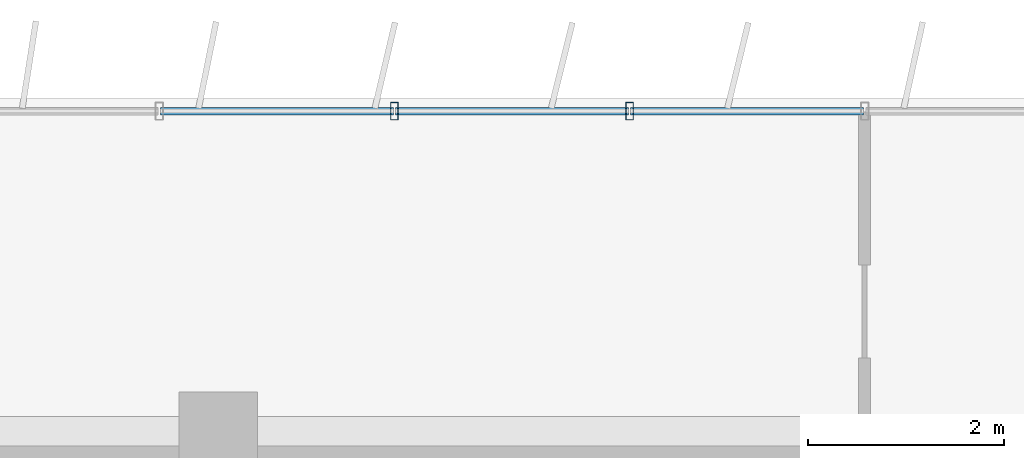
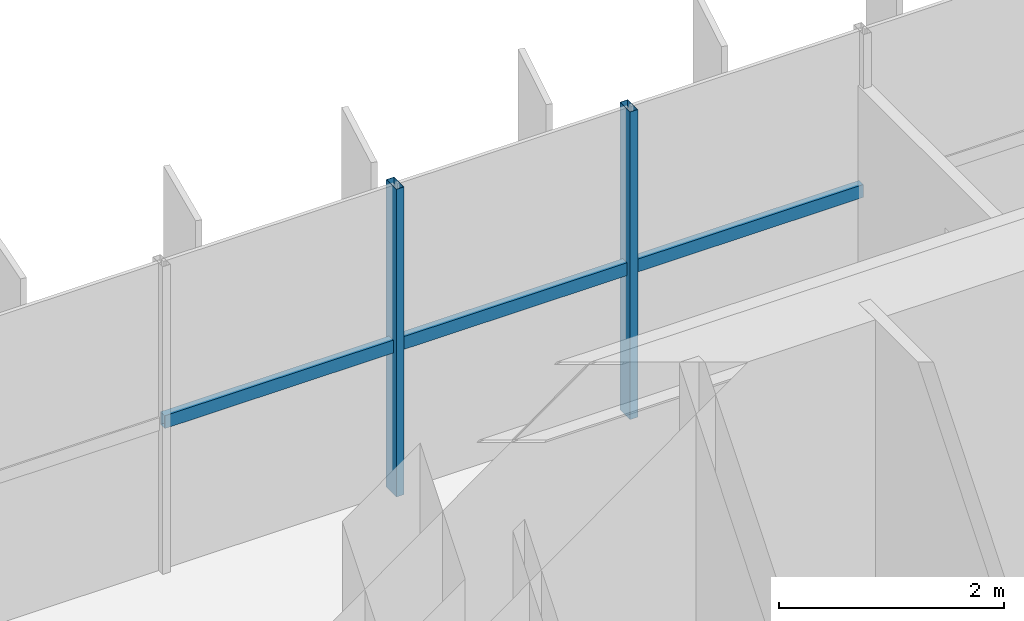
# One storey, part 7 of 21: 5 members, 1 element without a shape of its own.
"""IFC4 building model written with IfcOpenShell, lengths in metres."""

from ifc_helpers import new_model, si_unit, direction, frame, origin, origin_2d, place, context, subcontext, project, spatial, hollow_rectangle, extrude, source, transform, mapped, material, material_profile, profile_set, type_object, element, aggregate, save


model = new_model("IFC4")

# Units and contexts
model_context = context("Model", 3, precision=1e-05, world=origin(), true_north=direction((0.0, 1.0)))
body_context = subcontext(model_context, "Body", "Model", "MODEL_VIEW")
ifc_project = project(units=[si_unit("LENGTHUNIT", "METRE"), si_unit("AREAUNIT", "SQUARE_METRE"), si_unit("VOLUMEUNIT", "CUBIC_METRE"), si_unit("PLANEANGLEUNIT", "RADIAN"), si_unit("MASSUNIT", "GRAM", prefix="KILO")], contexts=[model_context])

# Site, building, storey
site_placement = place(None, origin())
site = spatial("IfcSite", under=ifc_project, at=site_placement, CompositionType="ELEMENT")
building_placement = place(site_placement, origin())
building = spatial("IfcBuilding", under=site, at=building_placement, Name="Trelvane Seafront Commons", CompositionType="ELEMENT")
storey_placement = place(building_placement, frame((0.0, 0.0, 110.5)))
storey = spatial("IfcBuildingStorey", under=building, at=storey_placement, Name="L28", CompositionType="ELEMENT", Elevation=110.5)

# Curtain wall, members
ifc_material = material(Name="Anodised pale-silver aluminium", Category="aluminium")
curtain_wall_type = type_object("IfcCurtainWallType", Name="ARCH-CW4-SKYLOBBY", PredefinedType="NOTDEFINED", material=ifc_material)
curtain_wall_placement = place(storey_placement, origin())
curtain_wall = element("IfcCurtainWall", 1, at=curtain_wall_placement, inside=storey, type_object=curtain_wall_type, Name="CW-L28-0053", PredefinedType="NOTDEFINED")
ifc_material_profile_1 = material_profile(ifc_material, hollow_rectangle(XDim=0.074951171875, YDim=0.139892578125, WallThickness=0.00390625, at=origin_2d()), Name="TRAN-75x140x4")
ifc_profile_set_1 = profile_set([ifc_material_profile_1], Name="Anodised pale-silver aluminium")
member_type_1 = type_object("IfcMemberType", Name="ARCH-CW-TRAN-140", PredefinedType="USERDEFINED", material=ifc_profile_set_1)
shared_shape_1 = source(origin(), body_context, "Body", "SweptSolid", [
    extrude(hollow_rectangle(XDim=0.074951171875, YDim=0.139892578125, WallThickness=0.00390625, at=origin_2d()), origin(), (0.0, 0.0, 1.0), 2.3759765625),
])
member_1_placement = place(storey_placement, frame((30.011962890625, 48.3701171875, 1.60302734375), z_axis=(1.0, 0.0, 0.0), x_axis=(0.0, 1.0, 0.0)))
member_1 = element("IfcMember", 2, at=member_1_placement, type_object=member_type_1, Name="CW-L28-0053-T06", ObjectType="TRANSOM", PredefinedType="USERDEFINED", context=body_context, shape_type="MappedRepresentation", body=[
    mapped(shared_shape_1, transform((0.0, 0.0, 0.0), x_axis=(1.0, 0.0, 0.0), y_axis=(0.0, 1.0, 0.0), z_axis=(0.0, 0.0, 1.0), scale=1.0)),
])
member_2_placement = place(storey_placement, frame((32.412109375, 48.3701171875, 1.60302734375), z_axis=(1.0, 0.0, 0.0), x_axis=(0.0, 1.0, 0.0)))
member_2 = element("IfcMember", 3, at=member_2_placement, type_object=member_type_1, Name="CW-L28-0053-T07", ObjectType="TRANSOM", PredefinedType="USERDEFINED", context=body_context, shape_type="MappedRepresentation", body=[
    mapped(shared_shape_1, transform((0.0, 0.0, 0.0), x_axis=(1.0, 0.0, 0.0), y_axis=(0.0, 1.0, 0.0), z_axis=(0.0, 0.0, 1.0), scale=1.0)),
])
member_3_placement = place(storey_placement, frame((34.81201171875, 48.3701171875, 1.60302734375), z_axis=(1.0, 0.0, 0.0), x_axis=(0.0, 1.0, 0.0)))
member_3 = element("IfcMember", 4, at=member_3_placement, type_object=member_type_1, Name="CW-L28-0053-T08", ObjectType="TRANSOM", PredefinedType="USERDEFINED", context=body_context, shape_type="MappedRepresentation", body=[
    mapped(shared_shape_1, transform((0.0, 0.0, 0.0), x_axis=(1.0, 0.0, 0.0), y_axis=(0.0, 1.0, 0.0), z_axis=(0.0, 0.0, 1.0), scale=1.0)),
])
ifc_material_profile_2 = material_profile(ifc_material, hollow_rectangle(XDim=0.080078125, YDim=0.179931640625, WallThickness=0.00439453125, at=origin_2d()), Name="MULL-80x180x4.5")
ifc_profile_set_2 = profile_set([ifc_material_profile_2], Name="Anodised pale-silver aluminium")
member_type_2 = type_object("IfcMemberType", Name="ARCH-CW-MULL-180", PredefinedType="MULLION", material=ifc_profile_set_2)
shared_shape_2 = source(origin(), body_context, "Body", "SweptSolid", [
    extrude(hollow_rectangle(XDim=0.080078125, YDim=0.179931640625, WallThickness=0.00439453125, at=origin_2d()), origin(), (0.0, 0.0, 1.0), 3.340087890625),
])
member_4_placement = place(storey_placement, frame((32.39990234375, 48.3701171875, 0.0), z_axis=(0.0, 0.0, 1.0), x_axis=(1.0, 0.0, 0.0)))
member_4 = element("IfcMember", 5, at=member_4_placement, type_object=member_type_2, Name="CW-L28-0053-M07", PredefinedType="MULLION", context=body_context, shape_type="MappedRepresentation", body=[
    mapped(shared_shape_2, transform((0.0, 0.0, 0.0), x_axis=(1.0, 0.0, 0.0), y_axis=(0.0, 1.0, 0.0), z_axis=(0.0, 0.0, 1.0), scale=1.0)),
])
member_5_placement = place(storey_placement, frame((34.800048828125, 48.3701171875, 0.0), z_axis=(0.0, 0.0, 1.0), x_axis=(1.0, 0.0, 0.0)))
member_5 = element("IfcMember", 6, at=member_5_placement, type_object=member_type_2, Name="CW-L28-0053-M08", PredefinedType="MULLION", context=body_context, shape_type="MappedRepresentation", body=[
    mapped(shared_shape_2, transform((0.0, 0.0, 0.0), x_axis=(1.0, 0.0, 0.0), y_axis=(0.0, 1.0, 0.0), z_axis=(0.0, 0.0, 1.0), scale=1.0)),
])
aggregate(curtain_wall, [member_4, member_5, member_1, member_2, member_3])

save(model, "model.ifc")
